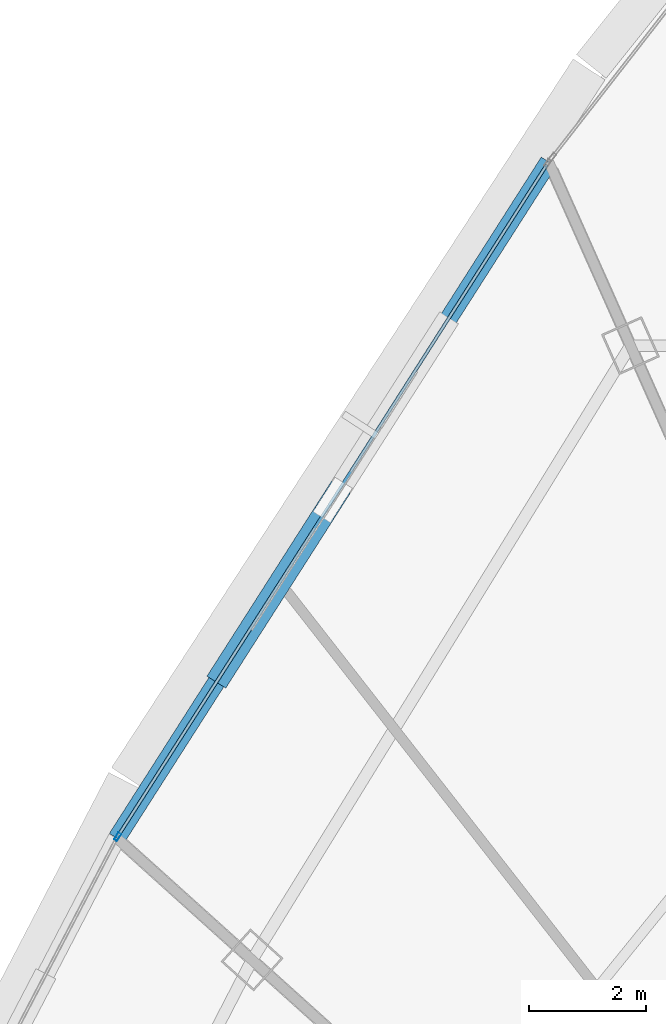
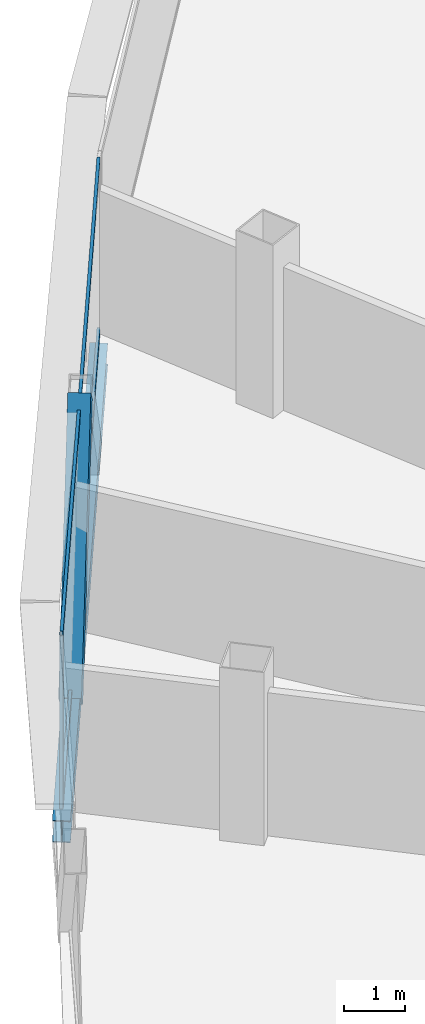
# One storey, part 17 of 37: 4 members, 1 beam, 1 element without a shape of its own.
"""IFC4 building model written with IfcOpenShell, lengths in metres."""

from ifc_helpers import new_model, si_unit, direction, frame, origin, origin_2d, place, context, subcontext, project, spatial, hollow_rectangle, i_section, extrude, source, transform, mapped, material, layer, layer_set, material_profile, profile_set, type_object, element, aggregate, save


model = new_model("IFC4")

# Units and contexts
model_context = context("Model", 3, precision=1e-05, world=origin(), true_north=direction((0.0, 1.0)))
body_context = subcontext(model_context, "Body", "Model", "MODEL_VIEW")
ifc_project = project(units=[si_unit("LENGTHUNIT", "METRE"), si_unit("AREAUNIT", "SQUARE_METRE"), si_unit("VOLUMEUNIT", "CUBIC_METRE"), si_unit("PLANEANGLEUNIT", "RADIAN"), si_unit("MASSUNIT", "GRAM", prefix="KILO"), si_unit("THERMODYNAMICTEMPERATUREUNIT", "KELVIN"), si_unit("POWERUNIT", "WATT")], contexts=[model_context])

# Site, building, storey
site_placement = place(None, origin())
site = spatial("IfcSite", under=ifc_project, at=site_placement, CompositionType="ELEMENT")
building_placement = place(site_placement, origin())
building = spatial("IfcBuilding", under=site, at=building_placement, Name="Yunzhuo Pagoda Commons", CompositionType="ELEMENT")
storey_placement = place(building_placement, frame((0.0, 0.0, 277.56005859375)))
storey = spatial("IfcBuildingStorey", under=building, at=storey_placement, Name="L69", CompositionType="ELEMENT", Elevation=277.56005859375)

# Beam
ifc_material_1 = material(Name="Structural steel Q355B", Category="steel")
ifc_material_profile_1 = material_profile(ifc_material_1, i_section(OverallWidth=0.300048828125, OverallDepth=0.43994140625, WebThickness=0.010986328125, FlangeThickness=0.01806640625, at=origin_2d()), Name="Structural steel Q355B")
ifc_profile_set_1 = profile_set([ifc_material_profile_1], Name="Structural steel Q355B")
beam_type = type_object("IfcBeamType", Name="B-SP2 Beam HM 440x300x11x18", PredefinedType="BEAM", material=ifc_profile_set_1)
shared_shape_1 = source(origin(), body_context, "Body", "SweptSolid", [
    extrude(i_section(OverallWidth=0.300048828125, OverallDepth=0.43994140625, WebThickness=0.010986328125, FlangeThickness=0.01806640625, at=origin_2d()), origin(), (0.0, 0.0, 1.0), 13.696044921875),
])
beam_placement = place(storey_placement, frame((34.4892578125, 64.045654296875, -0.47998046875), z_axis=(-0.538249671817, -0.842785435795, 0.0), x_axis=(0.842785435795, -0.538249671817, 0.0)))
element("IfcBeam", 1, at=beam_placement, inside=storey, type_object=beam_type, Name="L69 facade edge spandrel beam F3.1", PredefinedType="BEAM", context=body_context, shape_type="MappedRepresentation", body=[
    mapped(shared_shape_1, transform((0.0, 0.0, 0.0), scale=1.0)),
])

# Member
ifc_material_profile_2 = material_profile(ifc_material_1, hollow_rectangle(XDim=0.3798828125, YDim=0.719970703125, WallThickness=0.02001953125, at=origin_2d()), Name="Structural steel Q355B")
ifc_profile_set_2 = profile_set([ifc_material_profile_2], Name="Structural steel Q355B")
member_type_1 = type_object("IfcMemberType", Name="M-DL3 Brace BOX 720x380x20", PredefinedType="BRACE", material=ifc_profile_set_2)
shared_shape_2 = source(origin(), body_context, "Body", "SweptSolid", [
    extrude(hollow_rectangle(XDim=0.3798828125, YDim=0.719970703125, WallThickness=0.02001953125, at=origin_2d()), origin(), (0.0, 0.0, 1.0), 5.063232421875),
])
member_1_placement = place(storey_placement, frame((28.960205078125, 55.388671875, -0.260009765625), z_axis=(0.36400555644, 0.569900870519, 0.736690540637), x_axis=(-0.842761854784, 0.538286592924, 0.0)))
element("IfcMember", 2, at=member_1_placement, inside=storey, type_object=member_type_1, Name="L69 facade diamond brace F3.1R", PredefinedType="BRACE", context=body_context, shape_type="MappedRepresentation", body=[
    mapped(shared_shape_2, transform((0.0, 0.0, 0.0), scale=1.0)),
])

# Curtain wall, members
ifc_material_2 = material(Name="Anodized aluminium 6063-T6", Category="aluminium")
ifc_layer = layer(ifc_material_2, 0.139892578125)
ifc_layer_set = layer_set([ifc_layer], Name="Anodized aluminium 6063-T6")
curtain_wall_type = type_object("IfcCurtainWallType", Name="CW-HI High-Zone Ribbon Curtain Wall", PredefinedType="NOTDEFINED", material=ifc_layer_set)
curtain_wall_placement = place(storey_placement, origin())
curtain_wall = element("IfcCurtainWall", 3, at=curtain_wall_placement, inside=storey, type_object=curtain_wall_type, Name="L69 curtain wall CW-L69-F3B2", PredefinedType="NOTDEFINED")
ifc_material_profile_3 = material_profile(ifc_material_2, hollow_rectangle(XDim=0.06005859375, YDim=0.139892578125, WallThickness=0.00341796875, at=origin_2d()), Name="Anodized aluminium 6063-T6")
ifc_profile_set_3 = profile_set([ifc_material_profile_3], Name="Anodized aluminium 6063-T6")
member_type_2 = type_object("IfcMemberType", Name="CW-HI-M Mullion RHS 140x60x3.5", PredefinedType="MULLION", material=ifc_profile_set_3)
shared_shape_3 = source(origin(), body_context, "Body", "SweptSolid", [
    extrude(hollow_rectangle(XDim=0.06005859375, YDim=0.139892578125, WallThickness=0.00341796875, at=origin_2d()), origin(), (0.0, 0.0, 1.0), 3.469970703125),
])
member_2_placement = place(storey_placement, frame((27.133544921875, 52.528076171875, 0.0), z_axis=(0.0, 0.0, 1.0), x_axis=(0.842779157761, -0.538259501768, 0.0)))
member_2 = element("IfcMember", 4, at=member_2_placement, type_object=member_type_2, Name="CW mullion 2", PredefinedType="MULLION", context=body_context, shape_type="MappedRepresentation", body=[
    mapped(shared_shape_3, transform((0.0, 0.0, 0.0), scale=1.0)),
])
ifc_material_profile_4 = material_profile(ifc_material_2, hollow_rectangle(XDim=0.054931640625, YDim=0.1201171875, WallThickness=0.00341796875, at=origin_2d()), Name="Anodized aluminium 6063-T6")
ifc_profile_set_4 = profile_set([ifc_material_profile_4], Name="Anodized aluminium 6063-T6")
member_type_3 = type_object("IfcMemberType", Name="CW-HI-T Transom RHS 120x55x3.5", PredefinedType="USERDEFINED", material=ifc_profile_set_4)
shared_shape_4 = source(origin(), body_context, "Body", "SweptSolid", [
    extrude(hollow_rectangle(XDim=0.054931640625, YDim=0.1201171875, WallThickness=0.00341796875, at=origin_2d()), origin(), (0.0, 0.0, 1.0), 13.575927734375),
])
member_3_placement = place(storey_placement, frame((34.45703125, 63.9951171875, 0.02734375), z_axis=(-0.538254824974, -0.84278214468, 0.0), x_axis=(0.84278214468, -0.538254824974, 0.0)))
member_3 = element("IfcMember", 5, at=member_3_placement, type_object=member_type_3, Name="CW transom 1.1", ObjectType="TRANSOM", PredefinedType="USERDEFINED", context=body_context, shape_type="MappedRepresentation", body=[
    mapped(shared_shape_4, transform((0.0, 0.0, 0.0), scale=1.0)),
])
member_4_placement = place(storey_placement, frame((34.45703125, 63.9951171875, 3.4423828125), z_axis=(-0.538254824974, -0.84278214468, 0.0), x_axis=(0.84278214468, -0.538254824974, 0.0)))
member_4 = element("IfcMember", 6, at=member_4_placement, type_object=member_type_3, Name="CW transom 1.2", ObjectType="TRANSOM", PredefinedType="USERDEFINED", context=body_context, shape_type="MappedRepresentation", body=[
    mapped(shared_shape_4, transform((0.0, 0.0, 0.0), scale=1.0)),
])
aggregate(curtain_wall, [member_2, member_3, member_4])

save(model, "model.ifc")
